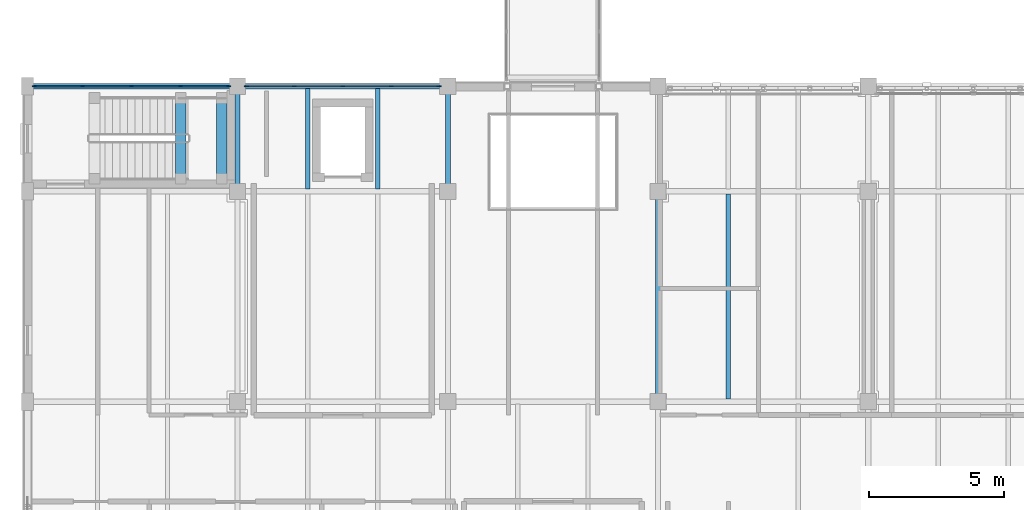
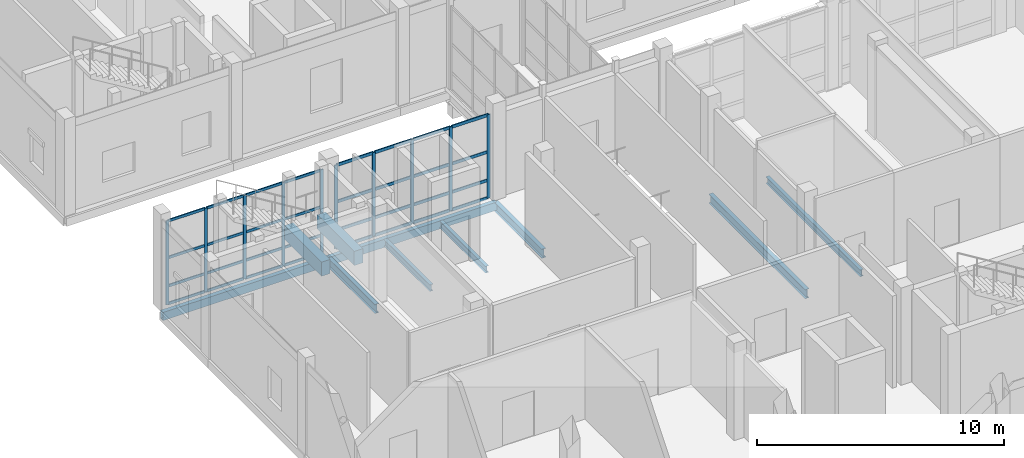
# One storey, part 21 of 138: 42 members, 10 beams, 2 elements without a shape of their own.
"""IFC4 building model written with IfcOpenShell, lengths in metres."""

from ifc_helpers import new_model, si_unit, direction, frame, origin, origin_2d, place, context, subcontext, project, spatial, rectangle, hollow_rectangle, i_section, extrude, material, layer, layer_set, material_profile, profile_set, type_object, element, aggregate, save


model = new_model("IFC4")

# Units and contexts
model_context = context("Model", 3, precision=1e-05, world=origin(), true_north=direction((0.0, 1.0)))
body_context = subcontext(model_context, "Body", "Model", "MODEL_VIEW")
ifc_project = project(units=[si_unit("LENGTHUNIT", "METRE"), si_unit("AREAUNIT", "SQUARE_METRE"), si_unit("VOLUMEUNIT", "CUBIC_METRE"), si_unit("PLANEANGLEUNIT", "RADIAN"), si_unit("MASSUNIT", "GRAM", prefix="KILO")], contexts=[model_context])

# Site, building, storey
site_placement = place(None, origin())
site = spatial("IfcSite", under=ifc_project, at=site_placement, CompositionType="ELEMENT")
building_placement = place(site_placement, origin())
building = spatial("IfcBuilding", under=site, at=building_placement, Name="Celorna Specialist Clinic", CompositionType="ELEMENT")
storey_placement = place(building_placement, frame((0.0, 0.0, 4.800048828125)))
storey = spatial("IfcBuildingStorey", under=building, at=storey_placement, Name="L01", CompositionType="ELEMENT", Elevation=4.800048828125)

# Beams
ifc_material_1 = material(Name="Steel S355", Category="steel")
ifc_material_profile_1 = material_profile(ifc_material_1, i_section(OverallWidth=0.18994140625, OverallDepth=0.449951171875, WebThickness=0.009521484375, FlangeThickness=0.0146484375, at=origin_2d()), Name="IPE 450")
ifc_profile_set_1 = profile_set([ifc_material_profile_1], Name="Steel S355")
beam_type_1 = type_object("IfcBeamType", Name="BM-09", PredefinedType="BEAM", material=ifc_profile_set_1)
for number, where, z_axis, x_axis, name in (
    (1, (7.800048828125, 23.39990234375, -0.485107421875), (0.0, 1.0, 0.0), (-1.0, 0.0, 0.0), "Transverse girder BM-09 #1627"),
    (2, (15.60009765625, 23.39990234375, -0.485107421875), (0.0, 1.0, 0.0), (-1.0, 0.0, 0.0), "Transverse girder BM-09 #1632"),
):
    element("IfcBeam", number, at=place(storey_placement, frame(where, z_axis=z_axis, x_axis=x_axis)), inside=storey, type_object=beam_type_1, Name=name, PredefinedType="BEAM", context=body_context, shape_type="SweptSolid", body=[
        extrude(i_section(OverallWidth=0.18994140625, OverallDepth=0.449951171875, WebThickness=0.009521484375, FlangeThickness=0.0146484375, at=origin_2d()), origin(), (0.0, 0.0, 1.0), 3.900146484375),
    ])
beam_1_placement = place(storey_placement, frame((23.39990234375, 15.60009765625, -0.485107421875), z_axis=(0.0, 1.0, 0.0), x_axis=(-1.0, 0.0, 0.0)))
element("IfcBeam", 3, at=beam_1_placement, inside=storey, type_object=beam_type_1, Name="Transverse girder BM-09 #1636", PredefinedType="BEAM", context=body_context, shape_type="SweptSolid", body=[
    extrude(i_section(OverallWidth=0.18994140625, OverallDepth=0.449951171875, WebThickness=0.009521484375, FlangeThickness=0.0146484375, at=origin_2d()), origin(), (0.0, 0.0, 1.0), 7.7998046875),
])
ifc_material_profile_2 = material_profile(ifc_material_1, i_section(OverallWidth=0.159912109375, OverallDepth=0.330078125, WebThickness=0.007568359375, FlangeThickness=0.011474609375, at=origin_2d()), Name="IPE 330")
ifc_profile_set_2 = profile_set([ifc_material_profile_2], Name="Steel S355")
beam_type_2 = type_object("IfcBeamType", Name="BM-12", PredefinedType="JOIST", material=ifc_profile_set_2)
for number, where, z_axis, x_axis, name in (
    (4, (10.39990234375, 23.488037109375, -0.425048828125), (0.0, 1.0, 0.0), (-1.0, 0.0, 0.0), "Secondary floor joist BM-12 #1669"),
    (5, (13.0, 23.488037109375, -0.425048828125), (0.0, 1.0, 0.0), (-1.0, 0.0, 0.0), "Secondary floor joist BM-12 #1670"),
):
    element("IfcBeam", number, at=place(storey_placement, frame(where, z_axis=z_axis, x_axis=x_axis)), inside=storey, type_object=beam_type_2, Name=name, PredefinedType="JOIST", context=body_context, shape_type="SweptSolid", body=[
        extrude(i_section(OverallWidth=0.159912109375, OverallDepth=0.330078125, WebThickness=0.007568359375, FlangeThickness=0.011474609375, at=origin_2d()), origin(), (0.0, 0.0, 1.0), 3.723876953125),
    ])
beam_2_placement = place(storey_placement, frame((26.0, 15.68798828125, -0.425048828125), z_axis=(0.0, 1.0, 0.0), x_axis=(-1.0, 0.0, 0.0)))
element("IfcBeam", 6, at=beam_2_placement, inside=storey, type_object=beam_type_2, Name="Secondary floor joist BM-12 #1680", PredefinedType="JOIST", context=body_context, shape_type="SweptSolid", body=[
    extrude(i_section(OverallWidth=0.159912109375, OverallDepth=0.330078125, WebThickness=0.007568359375, FlangeThickness=0.011474609375, at=origin_2d()), origin(), (0.0, 0.0, 1.0), 7.6240234375),
])
ifc_material_profile_3 = material_profile(ifc_material_1, hollow_rectangle(XDim=0.199951171875, YDim=0.39990234375, WallThickness=0.011962890625, at=origin_2d()), Name="RHS 200x400x12")
ifc_profile_set_3 = profile_set([ifc_material_profile_3], Name="Steel S355")
beam_type_3 = type_object("IfcBeamType", Name="BM-15", PredefinedType="SPANDREL", material=ifc_profile_set_3)
for number, where, z_axis, x_axis, name in (
    (7, (0.0, 27.300048828125, -0.4599609375), (1.0, 0.0, 0.0), (0.0, 1.0, 0.0), "Spandrel beam BM-15 #1612"),
    (8, (7.800048828125, 27.300048828125, -0.4599609375), (1.0, 0.0, 0.0), (0.0, 1.0, 0.0), "Spandrel beam BM-15 #1613"),
):
    element("IfcBeam", number, at=place(storey_placement, frame(where, z_axis=z_axis, x_axis=x_axis)), inside=storey, type_object=beam_type_3, Name=name, PredefinedType="SPANDREL", context=body_context, shape_type="SweptSolid", body=[
        extrude(hollow_rectangle(XDim=0.199951171875, YDim=0.39990234375, WallThickness=0.011962890625, at=origin_2d()), origin(), (0.0, 0.0, 1.0), 7.800048828125),
    ])
ifc_material_2 = material(Name="Concrete C35/45", Category="concrete")
ifc_material_profile_4 = material_profile(ifc_material_2, rectangle(XDim=0.39990234375, YDim=0.699951171875, at=origin_2d()), Name="RC 400x700")
ifc_profile_set_4 = profile_set([ifc_material_profile_4], Name="Concrete C35/45")
beam_type_4 = type_object("IfcBeamType", Name="BM-19", PredefinedType="BEAM", material=ifc_profile_set_4)
for number, where, z_axis, x_axis, name in (
    (9, (5.68994140625, 23.8701171875, 1.974853515625), (0.0, 1.0, 0.0), (-1.0, 0.0, 0.0), "Stair ST-04 half-landing beam L01"),
    (10, (7.2099609375, 23.8701171875, 1.974853515625), (0.0, 1.0, 0.0), (-1.0, 0.0, 0.0), "Stair ST-04 half-landing beam L01"),
):
    element("IfcBeam", number, at=place(storey_placement, frame(where, z_axis=z_axis, x_axis=x_axis)), inside=storey, type_object=beam_type_4, Name=name, PredefinedType="BEAM", context=body_context, shape_type="SweptSolid", body=[
        extrude(rectangle(XDim=0.39990234375, YDim=0.699951171875, at=origin_2d()), origin(), (0.0, 0.0, 1.0), 3.0),
    ])

# Curtain wall, members
ifc_material_3 = material(Name="Thermally broken aluminium and solar-control glass curtain wall", Category="aluminium")
ifc_layer_1 = layer(ifc_material_3, 0.159912109375, Name="Thermally broken aluminium and solar-control glass curtain wall")
ifc_layer_set_1 = layer_set([ifc_layer_1], Name="Thermally broken aluminium and solar-control glass curtain wall")
curtain_wall_type_1 = type_object("IfcCurtainWallType", Name="CW-16", PredefinedType="NOTDEFINED", material=ifc_layer_set_1)
curtain_wall_1_placement = place(storey_placement, origin())
curtain_wall_1 = element("IfcCurtainWall", 11, at=curtain_wall_1_placement, inside=storey, type_object=curtain_wall_type_1, Name="Curtain wall CW-16 #154", PredefinedType="NOTDEFINED")
ifc_material_4 = material(Name="Anodized aluminium mullion", Category="aluminium")
ifc_material_profile_5 = material_profile(ifc_material_4, rectangle(XDim=0.050048828125, YDim=0.159912109375, at=origin_2d()), Name="ALU MULLION 50x160")
ifc_profile_set_5 = profile_set([ifc_material_profile_5], Name="Anodized aluminium mullion")
member_type_1 = type_object("IfcMemberType", Name="ML-01", PredefinedType="MULLION", material=ifc_profile_set_5)
member_1_placement = place(storey_placement, frame((8.12890625, 27.300048828125, 0.0), z_axis=(0.0, 0.0, 1.0), x_axis=(0.0, 1.0, 0.0)))
member_1 = element("IfcMember", 12, at=member_1_placement, type_object=member_type_1, Name="CW-16 mullion 1", PredefinedType="MULLION", context=body_context, shape_type="SweptSolid", body=[
    extrude(rectangle(XDim=0.050048828125, YDim=0.159912109375, at=origin_2d()), origin(), (0.0, 0.0, 1.0), 4.139892578125),
])
member_2_placement = place(storey_placement, frame((9.902099609375, 27.300048828125, 0.0), z_axis=(0.0, 0.0, 1.0), x_axis=(0.0, 1.0, 0.0)))
member_2 = element("IfcMember", 13, at=member_2_placement, type_object=member_type_1, Name="CW-16 mullion 2", PredefinedType="MULLION", context=body_context, shape_type="SweptSolid", body=[
    extrude(rectangle(XDim=0.050048828125, YDim=0.159912109375, at=origin_2d()), origin(), (0.0, 0.0, 1.0), 4.139892578125),
])
member_3_placement = place(storey_placement, frame((11.699951171875, 27.300048828125, 0.0), z_axis=(0.0, 0.0, 1.0), x_axis=(0.0, 1.0, 0.0)))
member_3 = element("IfcMember", 14, at=member_3_placement, type_object=member_type_1, Name="CW-16 mullion 3", PredefinedType="MULLION", context=body_context, shape_type="SweptSolid", body=[
    extrude(rectangle(XDim=0.050048828125, YDim=0.159912109375, at=origin_2d()), origin(), (0.0, 0.0, 1.0), 4.139892578125),
])
member_4_placement = place(storey_placement, frame((13.498046875, 27.300048828125, 0.0), z_axis=(0.0, 0.0, 1.0), x_axis=(0.0, 1.0, 0.0)))
member_4 = element("IfcMember", 15, at=member_4_placement, type_object=member_type_1, Name="CW-16 mullion 4", PredefinedType="MULLION", context=body_context, shape_type="SweptSolid", body=[
    extrude(rectangle(XDim=0.050048828125, YDim=0.159912109375, at=origin_2d()), origin(), (0.0, 0.0, 1.0), 4.139892578125),
])
member_5_placement = place(storey_placement, frame((15.27099609375, 27.300048828125, 0.0), z_axis=(0.0, 0.0, 1.0), x_axis=(0.0, 1.0, 0.0)))
member_5 = element("IfcMember", 16, at=member_5_placement, type_object=member_type_1, Name="CW-16 mullion 5", PredefinedType="MULLION", context=body_context, shape_type="SweptSolid", body=[
    extrude(rectangle(XDim=0.050048828125, YDim=0.159912109375, at=origin_2d()), origin(), (0.0, 0.0, 1.0), 4.139892578125),
])

ifc_layer_2 = layer(ifc_material_3, 0.159912109375, Name="Thermally broken aluminium and solar-control glass curtain wall")
ifc_layer_set_2 = layer_set([ifc_layer_2], Name="Thermally broken aluminium and solar-control glass curtain wall")
curtain_wall_type_2 = type_object("IfcCurtainWallType", Name="CW-82", PredefinedType="NOTDEFINED", material=ifc_layer_set_2)
curtain_wall_2_placement = place(storey_placement, origin())
curtain_wall_2 = element("IfcCurtainWall", 17, at=curtain_wall_2_placement, inside=storey, type_object=curtain_wall_type_2, Name="Curtain wall CW-82 #153", PredefinedType="NOTDEFINED")
ifc_material_profile_6 = material_profile(ifc_material_4, rectangle(XDim=0.050048828125, YDim=0.139892578125, at=origin_2d()), Name="ALU MULLION 50x140")
ifc_profile_set_6 = profile_set([ifc_material_profile_6], Name="Anodized aluminium mullion")
member_type_2 = type_object("IfcMemberType", Name="ML-03", PredefinedType="MULLION", material=ifc_profile_set_6)
member_6_placement = place(storey_placement, frame((0.25390625, 27.300048828125, 0.0), z_axis=(0.0, 0.0, 1.0), x_axis=(0.0, 1.0, 0.0)))
member_6 = element("IfcMember", 18, at=member_6_placement, type_object=member_type_2, Name="CW-82 mullion 1", PredefinedType="MULLION", context=body_context, shape_type="SweptSolid", body=[
    extrude(rectangle(XDim=0.050048828125, YDim=0.139892578125, at=origin_2d()), origin(), (0.0, 0.0, 1.0), 4.139892578125),
])
member_7_placement = place(storey_placement, frame((2.045654296875, 27.300048828125, 0.0), z_axis=(0.0, 0.0, 1.0), x_axis=(0.0, 1.0, 0.0)))
member_7 = element("IfcMember", 19, at=member_7_placement, type_object=member_type_2, Name="CW-82 mullion 2", PredefinedType="MULLION", context=body_context, shape_type="SweptSolid", body=[
    extrude(rectangle(XDim=0.050048828125, YDim=0.139892578125, at=origin_2d()), origin(), (0.0, 0.0, 1.0), 4.139892578125),
])
member_8_placement = place(storey_placement, frame((3.862548828125, 27.300048828125, 0.0), z_axis=(0.0, 0.0, 1.0), x_axis=(0.0, 1.0, 0.0)))
member_8 = element("IfcMember", 20, at=member_8_placement, type_object=member_type_2, Name="CW-82 mullion 3", PredefinedType="MULLION", context=body_context, shape_type="SweptSolid", body=[
    extrude(rectangle(XDim=0.050048828125, YDim=0.139892578125, at=origin_2d()), origin(), (0.0, 0.0, 1.0), 4.139892578125),
])
member_9_placement = place(storey_placement, frame((5.67919921875, 27.300048828125, 0.0), z_axis=(0.0, 0.0, 1.0), x_axis=(0.0, 1.0, 0.0)))
member_9 = element("IfcMember", 21, at=member_9_placement, type_object=member_type_2, Name="CW-82 mullion 4", PredefinedType="MULLION", context=body_context, shape_type="SweptSolid", body=[
    extrude(rectangle(XDim=0.050048828125, YDim=0.139892578125, at=origin_2d()), origin(), (0.0, 0.0, 1.0), 4.139892578125),
])
member_10_placement = place(storey_placement, frame((7.470947265625, 27.300048828125, 0.0), z_axis=(0.0, 0.0, 1.0), x_axis=(0.0, 1.0, 0.0)))
member_10 = element("IfcMember", 22, at=member_10_placement, type_object=member_type_2, Name="CW-82 mullion 5", PredefinedType="MULLION", context=body_context, shape_type="SweptSolid", body=[
    extrude(rectangle(XDim=0.050048828125, YDim=0.139892578125, at=origin_2d()), origin(), (0.0, 0.0, 1.0), 4.139892578125),
])
ifc_material_5 = material(Name="Anodized aluminium transom", Category="aluminium")
ifc_material_profile_7 = material_profile(ifc_material_5, rectangle(XDim=0.050048828125, YDim=0.1298828125, at=origin_2d()), Name="ALU TRANSOM 50x130")
ifc_profile_set_7 = profile_set([ifc_material_profile_7], Name="Anodized aluminium transom")
member_type_3 = type_object("IfcMemberType", Name="TR-01", PredefinedType="USERDEFINED", material=ifc_profile_set_7)
member_11_placement = place(storey_placement, frame((0.279052734375, 27.300048828125, 0.02490234375), z_axis=(1.0, 0.0, 0.0), x_axis=(0.0, 1.0, 0.0)))
member_11 = element("IfcMember", 23, at=member_11_placement, type_object=member_type_3, Name="CW-82 transom 1.1", ObjectType="TRANSOM", PredefinedType="USERDEFINED", context=body_context, shape_type="SweptSolid", body=[
    extrude(rectangle(XDim=0.050048828125, YDim=0.1298828125, at=origin_2d()), origin(), (0.0, 0.0, 1.0), 1.74169921875),
])
member_12_placement = place(storey_placement, frame((0.279052734375, 27.300048828125, 0.89990234375), z_axis=(1.0, 0.0, 0.0), x_axis=(0.0, 1.0, 0.0)))
member_12 = element("IfcMember", 24, at=member_12_placement, type_object=member_type_3, Name="CW-82 transom 1.2", ObjectType="TRANSOM", PredefinedType="USERDEFINED", context=body_context, shape_type="SweptSolid", body=[
    extrude(rectangle(XDim=0.050048828125, YDim=0.1298828125, at=origin_2d()), origin(), (0.0, 0.0, 1.0), 1.74169921875),
])
member_13_placement = place(storey_placement, frame((0.279052734375, 27.300048828125, 2.300048828125), z_axis=(1.0, 0.0, 0.0), x_axis=(0.0, 1.0, 0.0)))
member_13 = element("IfcMember", 25, at=member_13_placement, type_object=member_type_3, Name="CW-82 transom 1.3", ObjectType="TRANSOM", PredefinedType="USERDEFINED", context=body_context, shape_type="SweptSolid", body=[
    extrude(rectangle(XDim=0.050048828125, YDim=0.1298828125, at=origin_2d()), origin(), (0.0, 0.0, 1.0), 1.74169921875),
])
member_14_placement = place(storey_placement, frame((0.279052734375, 27.300048828125, 4.114990234375), z_axis=(1.0, 0.0, 0.0), x_axis=(0.0, 1.0, 0.0)))
member_14 = element("IfcMember", 26, at=member_14_placement, type_object=member_type_3, Name="CW-82 transom 1.4", ObjectType="TRANSOM", PredefinedType="USERDEFINED", context=body_context, shape_type="SweptSolid", body=[
    extrude(rectangle(XDim=0.050048828125, YDim=0.1298828125, at=origin_2d()), origin(), (0.0, 0.0, 1.0), 1.74169921875),
])
member_15_placement = place(storey_placement, frame((2.07080078125, 27.300048828125, 0.02490234375), z_axis=(1.0, 0.0, 0.0), x_axis=(0.0, 1.0, 0.0)))
member_15 = element("IfcMember", 27, at=member_15_placement, type_object=member_type_3, Name="CW-82 transom 2.1", ObjectType="TRANSOM", PredefinedType="USERDEFINED", context=body_context, shape_type="SweptSolid", body=[
    extrude(rectangle(XDim=0.050048828125, YDim=0.1298828125, at=origin_2d()), origin(), (0.0, 0.0, 1.0), 1.7666015625),
])
member_16_placement = place(storey_placement, frame((2.07080078125, 27.300048828125, 0.89990234375), z_axis=(1.0, 0.0, 0.0), x_axis=(0.0, 1.0, 0.0)))
member_16 = element("IfcMember", 28, at=member_16_placement, type_object=member_type_3, Name="CW-82 transom 2.2", ObjectType="TRANSOM", PredefinedType="USERDEFINED", context=body_context, shape_type="SweptSolid", body=[
    extrude(rectangle(XDim=0.050048828125, YDim=0.1298828125, at=origin_2d()), origin(), (0.0, 0.0, 1.0), 1.7666015625),
])
member_17_placement = place(storey_placement, frame((2.07080078125, 27.300048828125, 2.300048828125), z_axis=(1.0, 0.0, 0.0), x_axis=(0.0, 1.0, 0.0)))
member_17 = element("IfcMember", 29, at=member_17_placement, type_object=member_type_3, Name="CW-82 transom 2.3", ObjectType="TRANSOM", PredefinedType="USERDEFINED", context=body_context, shape_type="SweptSolid", body=[
    extrude(rectangle(XDim=0.050048828125, YDim=0.1298828125, at=origin_2d()), origin(), (0.0, 0.0, 1.0), 1.7666015625),
])
member_18_placement = place(storey_placement, frame((2.07080078125, 27.300048828125, 4.114990234375), z_axis=(1.0, 0.0, 0.0), x_axis=(0.0, 1.0, 0.0)))
member_18 = element("IfcMember", 30, at=member_18_placement, type_object=member_type_3, Name="CW-82 transom 2.4", ObjectType="TRANSOM", PredefinedType="USERDEFINED", context=body_context, shape_type="SweptSolid", body=[
    extrude(rectangle(XDim=0.050048828125, YDim=0.1298828125, at=origin_2d()), origin(), (0.0, 0.0, 1.0), 1.7666015625),
])
member_19_placement = place(storey_placement, frame((3.887451171875, 27.300048828125, 0.02490234375), z_axis=(1.0, 0.0, 0.0), x_axis=(0.0, 1.0, 0.0)))
member_19 = element("IfcMember", 31, at=member_19_placement, type_object=member_type_3, Name="CW-82 transom 3.1", ObjectType="TRANSOM", PredefinedType="USERDEFINED", context=body_context, shape_type="SweptSolid", body=[
    extrude(rectangle(XDim=0.050048828125, YDim=0.1298828125, at=origin_2d()), origin(), (0.0, 0.0, 1.0), 1.766845703125),
])
member_20_placement = place(storey_placement, frame((3.887451171875, 27.300048828125, 0.89990234375), z_axis=(1.0, 0.0, 0.0), x_axis=(0.0, 1.0, 0.0)))
member_20 = element("IfcMember", 32, at=member_20_placement, type_object=member_type_3, Name="CW-82 transom 3.2", ObjectType="TRANSOM", PredefinedType="USERDEFINED", context=body_context, shape_type="SweptSolid", body=[
    extrude(rectangle(XDim=0.050048828125, YDim=0.1298828125, at=origin_2d()), origin(), (0.0, 0.0, 1.0), 1.766845703125),
])
member_21_placement = place(storey_placement, frame((3.887451171875, 27.300048828125, 2.300048828125), z_axis=(1.0, 0.0, 0.0), x_axis=(0.0, 1.0, 0.0)))
member_21 = element("IfcMember", 33, at=member_21_placement, type_object=member_type_3, Name="CW-82 transom 3.3", ObjectType="TRANSOM", PredefinedType="USERDEFINED", context=body_context, shape_type="SweptSolid", body=[
    extrude(rectangle(XDim=0.050048828125, YDim=0.1298828125, at=origin_2d()), origin(), (0.0, 0.0, 1.0), 1.766845703125),
])
member_22_placement = place(storey_placement, frame((3.887451171875, 27.300048828125, 4.114990234375), z_axis=(1.0, 0.0, 0.0), x_axis=(0.0, 1.0, 0.0)))
member_22 = element("IfcMember", 34, at=member_22_placement, type_object=member_type_3, Name="CW-82 transom 3.4", ObjectType="TRANSOM", PredefinedType="USERDEFINED", context=body_context, shape_type="SweptSolid", body=[
    extrude(rectangle(XDim=0.050048828125, YDim=0.1298828125, at=origin_2d()), origin(), (0.0, 0.0, 1.0), 1.766845703125),
])
member_23_placement = place(storey_placement, frame((5.704345703125, 27.300048828125, 0.02490234375), z_axis=(1.0, 0.0, 0.0), x_axis=(0.0, 1.0, 0.0)))
member_23 = element("IfcMember", 35, at=member_23_placement, type_object=member_type_3, Name="CW-82 transom 4.1", ObjectType="TRANSOM", PredefinedType="USERDEFINED", context=body_context, shape_type="SweptSolid", body=[
    extrude(rectangle(XDim=0.050048828125, YDim=0.1298828125, at=origin_2d()), origin(), (0.0, 0.0, 1.0), 1.74169921875),
])
member_24_placement = place(storey_placement, frame((5.704345703125, 27.300048828125, 0.89990234375), z_axis=(1.0, 0.0, 0.0), x_axis=(0.0, 1.0, 0.0)))
member_24 = element("IfcMember", 36, at=member_24_placement, type_object=member_type_3, Name="CW-82 transom 4.2", ObjectType="TRANSOM", PredefinedType="USERDEFINED", context=body_context, shape_type="SweptSolid", body=[
    extrude(rectangle(XDim=0.050048828125, YDim=0.1298828125, at=origin_2d()), origin(), (0.0, 0.0, 1.0), 1.74169921875),
])
member_25_placement = place(storey_placement, frame((5.704345703125, 27.300048828125, 2.300048828125), z_axis=(1.0, 0.0, 0.0), x_axis=(0.0, 1.0, 0.0)))
member_25 = element("IfcMember", 37, at=member_25_placement, type_object=member_type_3, Name="CW-82 transom 4.3", ObjectType="TRANSOM", PredefinedType="USERDEFINED", context=body_context, shape_type="SweptSolid", body=[
    extrude(rectangle(XDim=0.050048828125, YDim=0.1298828125, at=origin_2d()), origin(), (0.0, 0.0, 1.0), 1.74169921875),
])
member_26_placement = place(storey_placement, frame((5.704345703125, 27.300048828125, 4.114990234375), z_axis=(1.0, 0.0, 0.0), x_axis=(0.0, 1.0, 0.0)))
member_26 = element("IfcMember", 38, at=member_26_placement, type_object=member_type_3, Name="CW-82 transom 4.4", ObjectType="TRANSOM", PredefinedType="USERDEFINED", context=body_context, shape_type="SweptSolid", body=[
    extrude(rectangle(XDim=0.050048828125, YDim=0.1298828125, at=origin_2d()), origin(), (0.0, 0.0, 1.0), 1.74169921875),
])
aggregate(curtain_wall_2, [member_6, member_7, member_8, member_9, member_10, member_11, member_12, member_13, member_14, member_15, member_16, member_17, member_18, member_19, member_20, member_21, member_22, member_23, member_24, member_25, member_26])

# Member
ifc_material_profile_8 = material_profile(ifc_material_5, rectangle(XDim=0.050048828125, YDim=0.14990234375, at=origin_2d()), Name="ALU TRANSOM 50x150")
ifc_profile_set_8 = profile_set([ifc_material_profile_8], Name="Anodized aluminium transom")
member_type_4 = type_object("IfcMemberType", Name="TR-02", PredefinedType="USERDEFINED", material=ifc_profile_set_8)
member_27_placement = place(storey_placement, frame((8.154052734375, 27.300048828125, 0.02490234375), z_axis=(1.0, 0.0, 0.0), x_axis=(0.0, 1.0, 0.0)))
member_27 = element("IfcMember", 39, at=member_27_placement, type_object=member_type_4, Name="CW-16 transom 1.1", ObjectType="TRANSOM", PredefinedType="USERDEFINED", context=body_context, shape_type="SweptSolid", body=[
    extrude(rectangle(XDim=0.050048828125, YDim=0.14990234375, at=origin_2d()), origin(), (0.0, 0.0, 1.0), 1.722900390625),
])

member_28_placement = place(storey_placement, frame((8.154052734375, 27.300048828125, 0.89990234375), z_axis=(1.0, 0.0, 0.0), x_axis=(0.0, 1.0, 0.0)))
member_28 = element("IfcMember", 40, at=member_28_placement, type_object=member_type_4, Name="CW-16 transom 1.2", ObjectType="TRANSOM", PredefinedType="USERDEFINED", context=body_context, shape_type="SweptSolid", body=[
    extrude(rectangle(XDim=0.050048828125, YDim=0.14990234375, at=origin_2d()), origin(), (0.0, 0.0, 1.0), 1.722900390625),
])

member_29_placement = place(storey_placement, frame((8.154052734375, 27.300048828125, 2.300048828125), z_axis=(1.0, 0.0, 0.0), x_axis=(0.0, 1.0, 0.0)))
member_29 = element("IfcMember", 41, at=member_29_placement, type_object=member_type_4, Name="CW-16 transom 1.3", ObjectType="TRANSOM", PredefinedType="USERDEFINED", context=body_context, shape_type="SweptSolid", body=[
    extrude(rectangle(XDim=0.050048828125, YDim=0.14990234375, at=origin_2d()), origin(), (0.0, 0.0, 1.0), 1.722900390625),
])

member_30_placement = place(storey_placement, frame((8.154052734375, 27.300048828125, 4.114990234375), z_axis=(1.0, 0.0, 0.0), x_axis=(0.0, 1.0, 0.0)))
member_30 = element("IfcMember", 42, at=member_30_placement, type_object=member_type_4, Name="CW-16 transom 1.4", ObjectType="TRANSOM", PredefinedType="USERDEFINED", context=body_context, shape_type="SweptSolid", body=[
    extrude(rectangle(XDim=0.050048828125, YDim=0.14990234375, at=origin_2d()), origin(), (0.0, 0.0, 1.0), 1.722900390625),
])

member_31_placement = place(storey_placement, frame((9.927001953125, 27.300048828125, 0.02490234375), z_axis=(1.0, 0.0, 0.0), x_axis=(0.0, 1.0, 0.0)))
member_31 = element("IfcMember", 43, at=member_31_placement, type_object=member_type_4, Name="CW-16 transom 2.1", ObjectType="TRANSOM", PredefinedType="USERDEFINED", context=body_context, shape_type="SweptSolid", body=[
    extrude(rectangle(XDim=0.050048828125, YDim=0.14990234375, at=origin_2d()), origin(), (0.0, 0.0, 1.0), 1.748046875),
])

member_32_placement = place(storey_placement, frame((9.927001953125, 27.300048828125, 0.89990234375), z_axis=(1.0, 0.0, 0.0), x_axis=(0.0, 1.0, 0.0)))
member_32 = element("IfcMember", 44, at=member_32_placement, type_object=member_type_4, Name="CW-16 transom 2.2", ObjectType="TRANSOM", PredefinedType="USERDEFINED", context=body_context, shape_type="SweptSolid", body=[
    extrude(rectangle(XDim=0.050048828125, YDim=0.14990234375, at=origin_2d()), origin(), (0.0, 0.0, 1.0), 1.748046875),
])

member_33_placement = place(storey_placement, frame((9.927001953125, 27.300048828125, 2.300048828125), z_axis=(1.0, 0.0, 0.0), x_axis=(0.0, 1.0, 0.0)))
member_33 = element("IfcMember", 45, at=member_33_placement, type_object=member_type_4, Name="CW-16 transom 2.3", ObjectType="TRANSOM", PredefinedType="USERDEFINED", context=body_context, shape_type="SweptSolid", body=[
    extrude(rectangle(XDim=0.050048828125, YDim=0.14990234375, at=origin_2d()), origin(), (0.0, 0.0, 1.0), 1.748046875),
])

member_34_placement = place(storey_placement, frame((9.927001953125, 27.300048828125, 4.114990234375), z_axis=(1.0, 0.0, 0.0), x_axis=(0.0, 1.0, 0.0)))
member_34 = element("IfcMember", 46, at=member_34_placement, type_object=member_type_4, Name="CW-16 transom 2.4", ObjectType="TRANSOM", PredefinedType="USERDEFINED", context=body_context, shape_type="SweptSolid", body=[
    extrude(rectangle(XDim=0.050048828125, YDim=0.14990234375, at=origin_2d()), origin(), (0.0, 0.0, 1.0), 1.748046875),
])

member_35_placement = place(storey_placement, frame((11.72509765625, 27.300048828125, 0.02490234375), z_axis=(1.0, 0.0, 0.0), x_axis=(0.0, 1.0, 0.0)))
member_35 = element("IfcMember", 47, at=member_35_placement, type_object=member_type_4, Name="CW-16 transom 3.1", ObjectType="TRANSOM", PredefinedType="USERDEFINED", context=body_context, shape_type="SweptSolid", body=[
    extrude(rectangle(XDim=0.050048828125, YDim=0.14990234375, at=origin_2d()), origin(), (0.0, 0.0, 1.0), 1.747802734375),
])

member_36_placement = place(storey_placement, frame((11.72509765625, 27.300048828125, 0.89990234375), z_axis=(1.0, 0.0, 0.0), x_axis=(0.0, 1.0, 0.0)))
member_36 = element("IfcMember", 48, at=member_36_placement, type_object=member_type_4, Name="CW-16 transom 3.2", ObjectType="TRANSOM", PredefinedType="USERDEFINED", context=body_context, shape_type="SweptSolid", body=[
    extrude(rectangle(XDim=0.050048828125, YDim=0.14990234375, at=origin_2d()), origin(), (0.0, 0.0, 1.0), 1.747802734375),
])

member_37_placement = place(storey_placement, frame((11.72509765625, 27.300048828125, 2.300048828125), z_axis=(1.0, 0.0, 0.0), x_axis=(0.0, 1.0, 0.0)))
member_37 = element("IfcMember", 49, at=member_37_placement, type_object=member_type_4, Name="CW-16 transom 3.3", ObjectType="TRANSOM", PredefinedType="USERDEFINED", context=body_context, shape_type="SweptSolid", body=[
    extrude(rectangle(XDim=0.050048828125, YDim=0.14990234375, at=origin_2d()), origin(), (0.0, 0.0, 1.0), 1.747802734375),
])

member_38_placement = place(storey_placement, frame((11.72509765625, 27.300048828125, 4.114990234375), z_axis=(1.0, 0.0, 0.0), x_axis=(0.0, 1.0, 0.0)))
member_38 = element("IfcMember", 50, at=member_38_placement, type_object=member_type_4, Name="CW-16 transom 3.4", ObjectType="TRANSOM", PredefinedType="USERDEFINED", context=body_context, shape_type="SweptSolid", body=[
    extrude(rectangle(XDim=0.050048828125, YDim=0.14990234375, at=origin_2d()), origin(), (0.0, 0.0, 1.0), 1.747802734375),
])

member_39_placement = place(storey_placement, frame((13.52294921875, 27.300048828125, 0.02490234375), z_axis=(1.0, 0.0, 0.0), x_axis=(0.0, 1.0, 0.0)))
member_39 = element("IfcMember", 51, at=member_39_placement, type_object=member_type_4, Name="CW-16 transom 4.1", ObjectType="TRANSOM", PredefinedType="USERDEFINED", context=body_context, shape_type="SweptSolid", body=[
    extrude(rectangle(XDim=0.050048828125, YDim=0.14990234375, at=origin_2d()), origin(), (0.0, 0.0, 1.0), 1.72314453125),
])

member_40_placement = place(storey_placement, frame((13.52294921875, 27.300048828125, 0.89990234375), z_axis=(1.0, 0.0, 0.0), x_axis=(0.0, 1.0, 0.0)))
member_40 = element("IfcMember", 52, at=member_40_placement, type_object=member_type_4, Name="CW-16 transom 4.2", ObjectType="TRANSOM", PredefinedType="USERDEFINED", context=body_context, shape_type="SweptSolid", body=[
    extrude(rectangle(XDim=0.050048828125, YDim=0.14990234375, at=origin_2d()), origin(), (0.0, 0.0, 1.0), 1.72314453125),
])

member_41_placement = place(storey_placement, frame((13.52294921875, 27.300048828125, 2.300048828125), z_axis=(1.0, 0.0, 0.0), x_axis=(0.0, 1.0, 0.0)))
member_41 = element("IfcMember", 53, at=member_41_placement, type_object=member_type_4, Name="CW-16 transom 4.3", ObjectType="TRANSOM", PredefinedType="USERDEFINED", context=body_context, shape_type="SweptSolid", body=[
    extrude(rectangle(XDim=0.050048828125, YDim=0.14990234375, at=origin_2d()), origin(), (0.0, 0.0, 1.0), 1.72314453125),
])

member_42_placement = place(storey_placement, frame((13.52294921875, 27.300048828125, 4.114990234375), z_axis=(1.0, 0.0, 0.0), x_axis=(0.0, 1.0, 0.0)))
member_42 = element("IfcMember", 54, at=member_42_placement, type_object=member_type_4, Name="CW-16 transom 4.4", ObjectType="TRANSOM", PredefinedType="USERDEFINED", context=body_context, shape_type="SweptSolid", body=[
    extrude(rectangle(XDim=0.050048828125, YDim=0.14990234375, at=origin_2d()), origin(), (0.0, 0.0, 1.0), 1.72314453125),
])

aggregate(curtain_wall_1, [member_1, member_2, member_3, member_4, member_5, member_27, member_28, member_29, member_30, member_31, member_32, member_33, member_34, member_35, member_36, member_37, member_38, member_39, member_40, member_41, member_42])

save(model, "model.ifc")
